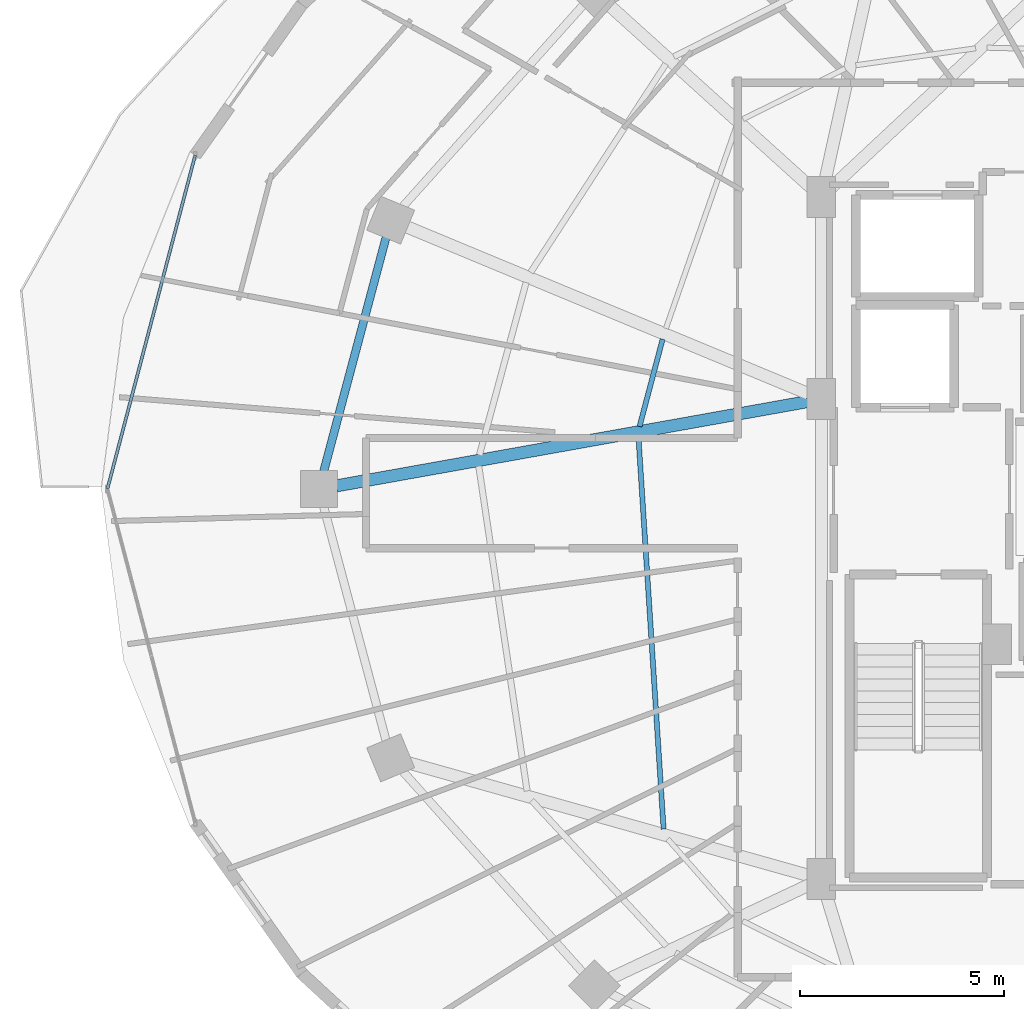
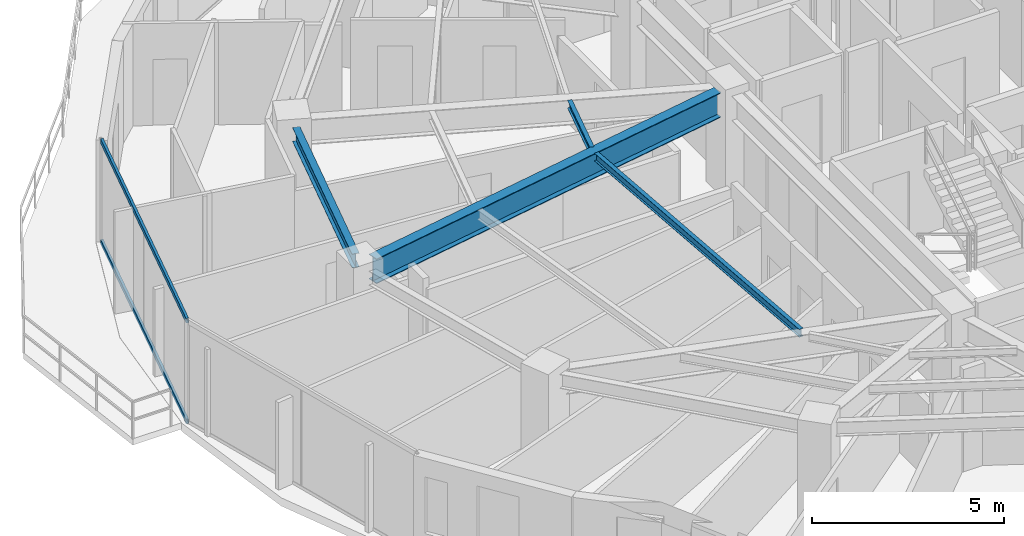
# One storey, part 8 of 33: 4 beams, 2 members, 1 element without a shape of its own.
"""IFC4 building model written with IfcOpenShell, lengths in metres."""

from ifc_helpers import new_model, si_unit, direction, frame, origin, origin_2d, place, context, subcontext, project, spatial, hollow_rectangle, i_section, extrude, material, material_profile, profile_set, type_object, element, aggregate, save


model = new_model("IFC4")

# Units and contexts
model_context = context("Model", 3, precision=1e-05, world=origin(), true_north=direction((0.0, 1.0)))
body_context = subcontext(model_context, "Body", "Model", "MODEL_VIEW")
ifc_project = project(units=[si_unit("LENGTHUNIT", "METRE"), si_unit("AREAUNIT", "SQUARE_METRE"), si_unit("VOLUMEUNIT", "CUBIC_METRE"), si_unit("PLANEANGLEUNIT", "RADIAN"), si_unit("MASSUNIT", "GRAM", prefix="KILO")], contexts=[model_context])

# Site, building, storey
site_placement = place(None, origin())
site = spatial("IfcSite", under=ifc_project, at=site_placement, CompositionType="ELEMENT")
building_placement = place(site_placement, origin())
building = spatial("IfcBuilding", under=site, at=building_placement, Name="Vorneva Point Tower", CompositionType="ELEMENT")
storey_placement = place(building_placement, frame((0.0, 0.0, 189.60009765625)))
storey = spatial("IfcBuildingStorey", under=building, at=storey_placement, Name="L51", CompositionType="ELEMENT", Elevation=189.60009765625)

# Beams
ifc_material_1 = material(Name="Steel S355", Category="steel")
ifc_material_profile_1 = material_profile(ifc_material_1, i_section(OverallWidth=0.300048828125, OverallDepth=0.7880859375, WebThickness=0.014404296875, FlangeThickness=0.02197265625, at=origin_2d()), Name="80Sh1")
ifc_profile_set_1 = profile_set([ifc_material_profile_1], Name="Steel S355")
beam_type_1 = type_object("IfcBeamType", Name="BM-GRD-80Sh1", PredefinedType="USERDEFINED", material=ifc_profile_set_1)
beam_1_placement = place(storey_placement, frame((15.381103515625, 26.0771484375, 2.845947265625), z_axis=(0.984378602255, 0.176064668298, 0.0), x_axis=(-0.176064668298, 0.984378602255, 0.0)))
element("IfcBeam", 1, at=beam_1_placement, inside=storey, type_object=beam_type_1, Name="L51 Radial Primary Girder 09", ObjectType="GIRDER", PredefinedType="USERDEFINED", context=body_context, shape_type="SweptSolid", body=[
    extrude(i_section(OverallWidth=0.300048828125, OverallDepth=0.7880859375, WebThickness=0.014404296875, FlangeThickness=0.02197265625, at=origin_2d()), origin(), (0.0, 0.0, 1.0), 11.71728515625),
])
ifc_material_profile_2 = material_profile(ifc_material_1, i_section(OverallWidth=0.1240234375, OverallDepth=0.248046875, WebThickness=0.0048828125, FlangeThickness=0.008056640625, at=origin_2d()), Name="25B1")
ifc_profile_set_2 = profile_set([ifc_material_profile_2], Name="Steel S355")
beam_type_2 = type_object("IfcBeamType", Name="BM-JST-25B1", PredefinedType="JOIST", material=ifc_profile_set_2)
beam_2_placement = place(storey_placement, frame((23.363037109375, 29.667236328125, 3.115966796875), z_axis=(-0.255537260645, -0.966799207913, 0.0), x_axis=(0.966799207913, -0.255537260645, 0.0)))
element("IfcBeam", 2, at=beam_2_placement, inside=storey, type_object=beam_type_2, Name="L51 Secondary Floor Beam 2.08", PredefinedType="JOIST", context=body_context, shape_type="SweptSolid", body=[
    extrude(i_section(OverallWidth=0.1240234375, OverallDepth=0.248046875, WebThickness=0.0048828125, FlangeThickness=0.008056640625, at=origin_2d()), origin(), (0.0, 0.0, 1.0), 2.2099609375),
])
beam_3_placement = place(storey_placement, frame((22.77197265625, 27.259765625, 3.115966796875), z_axis=(0.064039403471, -0.997947370758, 0.0), x_axis=(0.997947370758, 0.064039403471, 0.0)))
element("IfcBeam", 3, at=beam_3_placement, inside=storey, type_object=beam_type_2, Name="L51 Secondary Floor Beam 2.09", PredefinedType="JOIST", context=body_context, shape_type="SweptSolid", body=[
    extrude(i_section(OverallWidth=0.1240234375, OverallDepth=0.248046875, WebThickness=0.0048828125, FlangeThickness=0.008056640625, at=origin_2d()), origin(), (0.0, 0.0, 1.0), 9.607177734375),
])
ifc_material_profile_3 = material_profile(ifc_material_1, i_section(OverallWidth=0.198974609375, OverallDepth=0.446044921875, WebThickness=0.008056640625, FlangeThickness=0.011962890625, at=origin_2d()), Name="45B1")
ifc_profile_set_3 = profile_set([ifc_material_profile_3], Name="Steel S355")
beam_type_3 = type_object("IfcBeamType", Name="BM-SPN-45B1", PredefinedType="SPANDREL", material=ifc_profile_set_3)
beam_4_placement = place(storey_placement, frame((16.592529296875, 32.161865234375, 3.016845703125), z_axis=(-0.257578258003, -0.966257440336, 0.0), x_axis=(0.966257440336, -0.257578258003, 0.0)))
element("IfcBeam", 4, at=beam_4_placement, inside=storey, type_object=beam_type_3, Name="L51 Perimeter Spandrel Ring Beam 08", PredefinedType="SPANDREL", context=body_context, shape_type="SweptSolid", body=[
    extrude(i_section(OverallWidth=0.198974609375, OverallDepth=0.446044921875, WebThickness=0.008056640625, FlangeThickness=0.011962890625, at=origin_2d()), origin(), (0.0, 0.0, 1.0), 5.94189453125),
])

# Curtain wall, members
ifc_material_2 = material(Name="Pale anodised aluminium", Category="aluminium")
curtain_wall_type = type_object("IfcCurtainWallType", Name="CW-RES-SYS", PredefinedType="NOTDEFINED", material=ifc_material_2)
curtain_wall_placement = place(storey_placement, origin())
curtain_wall = element("IfcCurtainWall", 5, at=curtain_wall_placement, inside=storey, type_object=curtain_wall_type, Name="L51 Unitised Curtain Wall CW-L51-R03", PredefinedType="NOTDEFINED")
ifc_material_profile_4 = material_profile(ifc_material_2, hollow_rectangle(XDim=0.074951171875, YDim=0.14990234375, WallThickness=0.00390625, at=origin_2d()), Name="AL-TRN 150x75x4")
ifc_profile_set_4 = profile_set([ifc_material_profile_4], Name="Pale anodised aluminium")
member_type = type_object("IfcMemberType", Name="CW-TRN-150", PredefinedType="USERDEFINED", material=ifc_profile_set_4)
member_1_placement = place(storey_placement, frame((11.9189453125, 34.17041015625, 0.02001953125), z_axis=(-0.254362431281, -0.967108966742, 0.0), x_axis=(0.967108966742, -0.254362431281, 0.0)))
member_1 = element("IfcMember", 6, at=member_1_placement, type_object=member_type, Name="CW-L51-R03 Transom 01.1", ObjectType="TRANSOM", PredefinedType="USERDEFINED", context=body_context, shape_type="SweptSolid", body=[
    extrude(hollow_rectangle(XDim=0.074951171875, YDim=0.14990234375, WallThickness=0.00390625, at=origin_2d()), origin(), (0.0, 0.0, 1.0), 8.4482421875),
])
member_2_placement = place(storey_placement, frame((11.9189453125, 34.17041015625, 3.219970703125), z_axis=(-0.254362431281, -0.967108966742, 0.0), x_axis=(0.967108966742, -0.254362431281, 0.0)))
member_2 = element("IfcMember", 7, at=member_2_placement, type_object=member_type, Name="CW-L51-R03 Transom 01.2", ObjectType="TRANSOM", PredefinedType="USERDEFINED", context=body_context, shape_type="SweptSolid", body=[
    extrude(hollow_rectangle(XDim=0.074951171875, YDim=0.14990234375, WallThickness=0.00390625, at=origin_2d()), origin(), (0.0, 0.0, 1.0), 8.4482421875),
])
aggregate(curtain_wall, [member_1, member_2])

save(model, "model.ifc")
